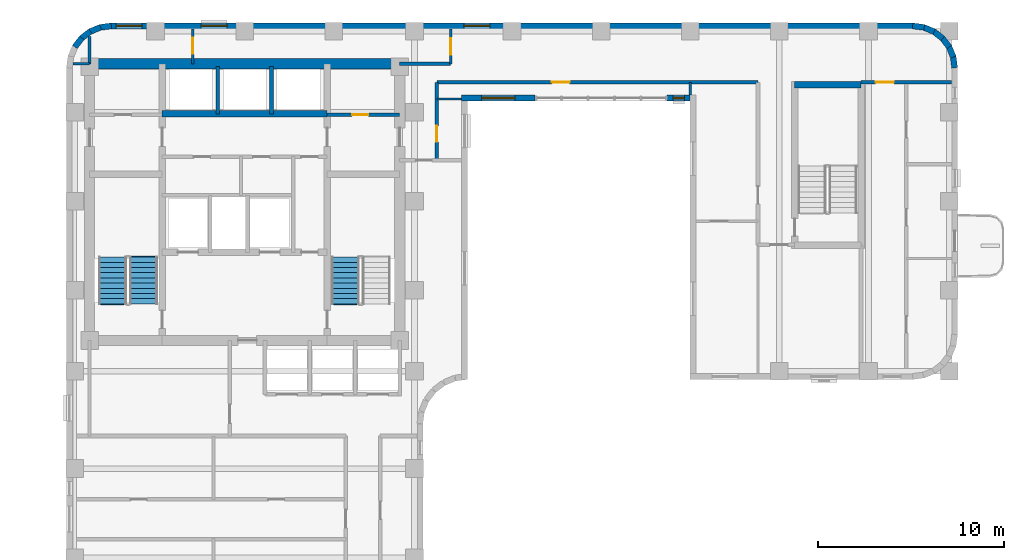
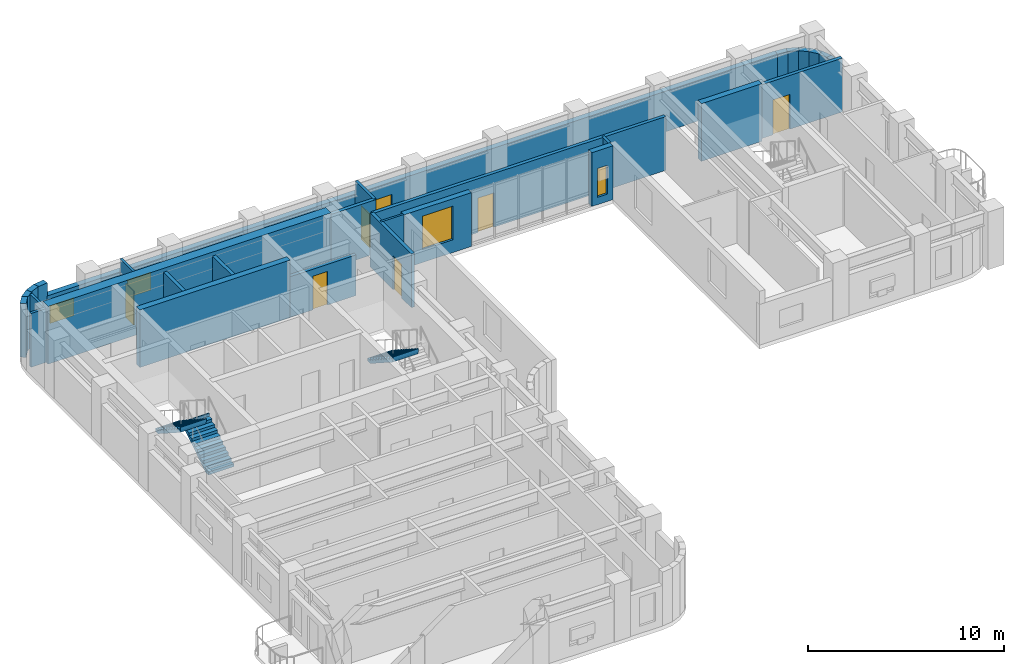
# One storey, part 7 of 11: 29 walls, 6 doors, 5 windows, 3 stair flights, 11 openings, 2 elements without a shape of their own.
"""IFC4 building model written with IfcOpenShell, lengths in metres."""

import ifcopenshell
import ifcopenshell.guid

model = None  # the IFC model being written
_history = None  # IfcOwnerHistory: only IFC2X3 demands one
_inside = {}  # id of a spatial element -> (the spatial element, [elements in it])
_under = {}  # id of a project, library or spatial element -> (it, [spatial elements below it])
_declared = {}  # id of a project -> (the project, [libraries it declares])
_typed = {}  # id of a type object -> (the type object, [elements of that type])
_made_of = {}  # id of a material, layer set ... -> (it, [elements and type objects made of it])


def new_model(schema):
    """Start an empty IFC model of exactly this schema.

    Asked for "IFC4X3", IfcOpenShell would pick the latest addendum, in which some entities
    have other attributes; the version numbers below select the first issue.
    IFC2X3 requires an IfcOwnerHistory on every rooted entity: one is made here for all.
    """
    global model, _history
    if schema == "IFC4X3":
        model = ifcopenshell.file(schema_version=(4, 3, 0, 0))
    else:
        model = ifcopenshell.file(schema=schema)
    _inside.clear()
    _under.clear()
    _declared.clear()
    _typed.clear()
    _made_of.clear()
    _history = None
    if model.schema == "IFC2X3":
        org = make("IfcOrganization", Name="unknown")
        user = make(
            "IfcPersonAndOrganization",
            ThePerson=make("IfcPerson", FamilyName="unknown"),
            TheOrganization=org,
        )
        app = make(
            "IfcApplication",
            ApplicationDeveloper=org,
            Version="unknown",
            ApplicationFullName="unknown",
            ApplicationIdentifier="unknown",
        )
        _history = make(
            "IfcOwnerHistory",
            OwningUser=user,
            OwningApplication=app,
            ChangeAction="ADDED",
            CreationDate=0,
        )
    return model


def make(cls, **values):
    """One entity of the class cls with the attributes given. An attribute that is None is left unset."""
    return model.create_entity(
        cls, **{name: value for name, value in values.items() if value is not None}
    )


def rooted(cls, **values):
    """An entity with a GlobalId (a new one), such as an element, a storey or a relation."""
    return make(cls, GlobalId=ifcopenshell.guid.new(), OwnerHistory=_history, **values)


def si_unit(unit_type, name, prefix=None):
    """IfcSIUnit, for example si_unit("LENGTHUNIT", "METRE", prefix="MILLI")."""
    return make("IfcSIUnit", UnitType=unit_type, Prefix=prefix, Name=name)


def assignment(units):
    """IfcUnitAssignment: the units of a project."""
    return None if units is None else make("IfcUnitAssignment", Units=units)


def point(xyz):
    """IfcCartesianPoint."""
    return None if xyz is None else make("IfcCartesianPoint", Coordinates=xyz)


def direction(xyz):
    """IfcDirection."""
    return None if xyz is None else make("IfcDirection", DirectionRatios=xyz)


def frame(location, z_axis=None, x_axis=None):
    """IfcAxis2Placement3D, a coordinate frame: its origin and axes. An axis left out is left unset."""
    return make(
        "IfcAxis2Placement3D",
        Location=point(location),
        Axis=direction(z_axis),
        RefDirection=direction(x_axis),
    )


def frame_2d(location, x_axis=None):
    """IfcAxis2Placement2D, a coordinate frame in the plane: its origin and x axis."""
    return make(
        "IfcAxis2Placement2D", Location=point(location), RefDirection=direction(x_axis)
    )


def origin():
    """The frame at (0, 0, 0) with its axes left unset."""
    return frame((0.0, 0.0, 0.0))


def place(relative_to, where):
    """IfcLocalPlacement: puts the frame where relative to a parent placement (None: the world)."""
    return make(
        "IfcLocalPlacement", PlacementRelTo=relative_to, RelativePlacement=where
    )


def context(
    kind, dimensions, precision=None, world=None, true_north=None, identifier=None
):
    """IfcGeometricRepresentationContext, for example the 3D "Model" context."""
    return make(
        "IfcGeometricRepresentationContext",
        ContextIdentifier=identifier,
        ContextType=kind,
        CoordinateSpaceDimension=dimensions,
        Precision=precision,
        WorldCoordinateSystem=world,
        TrueNorth=true_north,
    )


def subcontext(parent, identifier, kind, view, scale=None):
    """IfcGeometricRepresentationSubContext, for example "Body" below "Model"."""
    return make(
        "IfcGeometricRepresentationSubContext",
        ContextIdentifier=identifier,
        ContextType=kind,
        ParentContext=parent,
        TargetScale=scale,
        TargetView=view,
    )


def project(units=None, contexts=None):
    """IfcProject with its units and contexts."""
    return rooted(
        "IfcProject",
        Name="project",
        RepresentationContexts=contexts,
        UnitsInContext=assignment(units),
    )


def spatial(cls, under=None, at=None, **own):
    """A site, building, storey or space (cls), placed at a placement, below another one or the project."""
    s = rooted(cls, ObjectPlacement=at, **own)
    if under is not None:
        _under.setdefault(under.id(), (under, []))[1].append(s)
    return s


def polyline(points):
    """IfcPolyline through the points."""
    return make("IfcPolyline", Points=[point(p) for p in points])


def profile(cls, at=None, kind="AREA", **sizes):
    """A parametric profile (cls). Its sizes go by their IFC names, for example OverallWidth=200.0."""
    return make(cls, ProfileType=kind, Position=at, **sizes)


def rectangle(**sizes):
    """IfcRectangleProfileDef."""
    return profile("IfcRectangleProfileDef", **sizes)


def outline(outer, holes=None, kind="AREA"):
    """IfcArbitraryClosedProfileDef: a profile drawn as a closed curve; with holes, ...WithVoids."""
    if holes is None:
        return make("IfcArbitraryClosedProfileDef", ProfileType=kind, OuterCurve=outer)
    return make(
        "IfcArbitraryProfileDefWithVoids",
        ProfileType=kind,
        OuterCurve=outer,
        InnerCurves=holes,
    )


def extrude(swept, where, along, depth):
    """IfcExtrudedAreaSolid: the profile swept, set in the frame where, extruded along a direction by depth."""
    return make(
        "IfcExtrudedAreaSolid",
        SweptArea=swept,
        Position=where,
        ExtrudedDirection=direction(along),
        Depth=depth,
    )


def shape(context_of_items, identifier, shape_type, items):
    """IfcShapeRepresentation: the items that make up one representation, for example the "Body"."""
    return make(
        "IfcShapeRepresentation",
        ContextOfItems=context_of_items,
        RepresentationIdentifier=identifier,
        RepresentationType=shape_type,
        Items=items,
    )


def material(Name=None, Category=None):
    """IfcMaterial."""
    return make("IfcMaterial", Name=Name, Category=Category)


def layer(
    of_material, thickness, ventilated=None, Name=None, Category=None, Priority=None
):
    """IfcMaterialLayer: one layer of a wall or slab, of a material (None: an air gap)."""
    return make(
        "IfcMaterialLayer",
        Material=of_material,
        LayerThickness=thickness,
        IsVentilated=ventilated,
        Name=Name,
        Category=Category,
        Priority=Priority,
    )


def layer_set(layers, Name=None):
    """IfcMaterialLayerSet."""
    return make("IfcMaterialLayerSet", MaterialLayers=layers, LayerSetName=Name)


def made_of(thing, what):
    """Note that an element or type object is made of a material, layer set ...; save() writes the relation."""
    if what is not None:
        _made_of.setdefault(what.id(), (what, []))[1].append(thing)
    return thing


def type_object(cls, material=None, **own):
    """A type object (cls), such as IfcWallType, which elements share."""
    return made_of(rooted(cls, **own), material)


def element(
    cls,
    number,
    at=None,
    inside=None,
    cuts=None,
    type_object=None,
    material=None,
    context=None,
    identifier="Body",
    shape_type=None,
    held_by="IfcProductDefinitionShape",
    body=None,
    shapes=None,
    **own,
):
    """One element of the class cls, such as IfcWall. Its Tag is "e" and its number.

    at: its placement. inside: the storey or other place that contains it. cuts: it is an
    opening in that element (IfcRelVoidsElement). A single representation is given by context,
    identifier, shape_type and body (its items); several are given by shapes. held_by: the class
    of the entity that holds the representations. save() writes the other relations.
    """
    e = rooted(cls, Tag="e%d" % number, ObjectPlacement=at, **own)
    if body is not None:
        shapes = [shape(context, identifier, shape_type, body)]
    if shapes is not None:
        e.Representation = make(held_by, Representations=shapes)
    if inside is not None:
        _inside.setdefault(inside.id(), (inside, []))[1].append(e)
    if cuts is not None:
        rooted(
            "IfcRelVoidsElement", RelatingBuildingElement=cuts, RelatedOpeningElement=e
        )
    if type_object is not None:
        _typed.setdefault(type_object.id(), (type_object, []))[1].append(e)
    return made_of(e, material)


def fill(opening, filler):
    """IfcRelFillsElement: the door or window that sits in an opening."""
    return rooted(
        "IfcRelFillsElement",
        RelatingOpeningElement=opening,
        RelatedBuildingElement=filler,
    )


def aggregate(whole, parts):
    """IfcRelAggregates: a whole, such as a stair, and the parts it consists of."""
    return rooted("IfcRelAggregates", RelatingObject=whole, RelatedObjects=parts)


def save(model, path):
    """Write the relations noted so far, then the file.

    IfcRelAggregates (storeys below a building ...), IfcRelContainedInSpatialStructure (elements
    in a storey), IfcRelDefinesByType, IfcRelAssociatesMaterial and IfcRelDeclares: one each for
    every whole, place, type object, material and project.
    """
    for whole, parts in _under.values():
        aggregate(whole, parts)
    for where, things in _inside.values():
        rooted(
            "IfcRelContainedInSpatialStructure",
            RelatedElements=things,
            RelatingStructure=where,
        )
    for kind, things in _typed.values():
        rooted("IfcRelDefinesByType", RelatedObjects=things, RelatingType=kind)
    for what, things in _made_of.values():
        rooted("IfcRelAssociatesMaterial", RelatedObjects=things, RelatingMaterial=what)
    for by, libraries in _declared.values():
        rooted("IfcRelDeclares", RelatingContext=by, RelatedDefinitions=libraries)
    model.write(path)


model = new_model("IFC4")

# Units and contexts
model_context = context("Model", 3, precision=1e-05, world=origin(), true_north=direction((0.0, 1.0)))
body_context = subcontext(model_context, "Body", "Model", "MODEL_VIEW")
ifc_project = project(units=[si_unit("LENGTHUNIT", "METRE"), si_unit("AREAUNIT", "SQUARE_METRE"), si_unit("VOLUMEUNIT", "CUBIC_METRE"), si_unit("PLANEANGLEUNIT", "RADIAN"), si_unit("MASSUNIT", "GRAM", prefix="KILO")], contexts=[model_context])

# Site, building, storey
site_placement = place(None, origin())
site = spatial("IfcSite", under=ifc_project, at=site_placement, CompositionType="ELEMENT")
building_placement = place(site_placement, origin())
building = spatial("IfcBuilding", under=site, at=building_placement, Name="Orvandelia Arch Residences", CompositionType="ELEMENT")
storey_placement = place(building_placement, frame((0.0, 0.0, 161.199951171875)))
storey = spatial("IfcBuildingStorey", under=building, at=storey_placement, Name="L42", CompositionType="ELEMENT", Elevation=161.199951171875)

# Walls
ifc_material_1 = material(Name="Concrete C50/60", Category="concrete")
ifc_layer_1 = layer(ifc_material_1, 0.35009765625, Name="Concrete C50/60", Category="concrete")
ifc_layer_set_1 = layer_set([ifc_layer_1], Name="Concrete C50/60")
wall_type_1 = type_object("IfcWallType", Name="WL-CORE-350", PredefinedType="SHEAR", material=ifc_layer_set_1)
wall_1_placement = place(storey_placement, frame((9.9599609375, 43.10009765625, 0.0), z_axis=(0.0, 0.0, 1.0), x_axis=(1.0, 0.0, 0.0)))
element("IfcWall", 1, at=wall_1_placement, inside=storey, type_object=wall_type_1, Name="Core Shear Wall L42-HZ4", PredefinedType="SHEAR", context=body_context, shape_type="SweptSolid", body=[
    extrude(rectangle(XDim=8.880126953125, YDim=0.35009765625, at=frame_2d((4.43994140625, 0.0))), origin(), (0.0, 0.0, 1.0), 3.60009765625),
])
wall_2_placement = place(storey_placement, frame((44.02001953125, 44.659912109375, 0.0), z_axis=(0.0, 0.0, 1.0), x_axis=(1.0, 0.0, 0.0)))
element("IfcWall", 2, at=wall_2_placement, inside=storey, type_object=wall_type_1, Name="East Stair Core Shear Wall L42-N", PredefinedType="SHEAR", context=body_context, shape_type="SweptSolid", body=[
    extrude(rectangle(XDim=3.580078125, YDim=0.35009765625, at=frame_2d((1.7900390625, 0.0))), origin(), (0.0, 0.0, 1.0), 3.60009765625),
])
ifc_material_2 = material(Name="Concrete C60/75", Category="concrete")
ifc_layer_2 = layer(ifc_material_2, 0.550048828125, Name="Concrete C60/75", Category="concrete")
ifc_layer_set_2 = layer_set([ifc_layer_2], Name="Concrete C60/75")
wall_type_2 = type_object("IfcWallType", Name="WL-CORE-550", PredefinedType="SHEAR", material=ifc_layer_set_2)
wall_3_placement = place(storey_placement, frame((6.050048828125, 45.800048828125, 0.0), z_axis=(0.0, 0.0, 1.0), x_axis=(1.0, 0.0, 0.0)))
element("IfcWall", 3, at=wall_3_placement, inside=storey, type_object=wall_type_2, Name="Core Shear Wall L42-N", PredefinedType="SHEAR", context=body_context, shape_type="SweptSolid", body=[
    extrude(rectangle(XDim=16.699951171875, YDim=0.550048828125, at=frame_2d((8.35009765625, 0.0))), origin(), (0.0, 0.0, 1.0), 3.60009765625),
])
ifc_material_3 = material(Name="Fire-Rated Corridor Partition")
ifc_layer_3 = layer(ifc_material_3, 0.199951171875, Name="Fire-Rated Corridor Partition")
ifc_layer_set_3 = layer_set([ifc_layer_3], Name="Fire-Rated Corridor Partition")
wall_type_3 = type_object("IfcWallType", Name="WL-CORR-200", PredefinedType="PARTITIONING", material=ifc_layer_set_3)
wall_4_placement = place(storey_placement, frame((22.75, 45.800048828125, 0.0), z_axis=(0.0, 0.0, 1.0), x_axis=(1.0, 0.0, 0.0)))
element("IfcWall", 4, at=wall_4_placement, inside=storey, type_object=wall_type_3, Name="Interior Partition Wall WL-L42-NCE-S", PredefinedType="PARTITIONING", context=body_context, shape_type="SweptSolid", body=[
    extrude(rectangle(XDim=2.75, YDim=0.199951171875, at=frame_2d((1.375, 0.0))), origin(), (0.0, 0.0, 1.0), 3.360107421875),
])

# Wall, opening, door
wall_5_placement = place(storey_placement, frame((24.75, 44.800048828125, 0.0), z_axis=(0.0, 0.0, 1.0), x_axis=(1.0, 0.0, 0.0)))
wall_5 = element("IfcWall", 5, at=wall_5_placement, inside=storey, type_object=wall_type_3, Name="Interior Partition Wall WL-L42-ENP-S1", PredefinedType="PARTITIONING", context=body_context, shape_type="SweptSolid", body=[
    extrude(rectangle(XDim=17.300048828125, YDim=0.199951171875, at=frame_2d((8.64990234375, 0.0))), origin(), (0.0, 0.0, 1.0), 3.360107421875),
])
opening_1_placement = place(wall_5_placement, frame((6.199951171875, 0.0, 0.0)))
opening_1 = element("IfcOpeningElement", 6, at=opening_1_placement, cuts=wall_5, Name="Opening D2", PredefinedType="OPENING", context=body_context, shape_type="SweptSolid", body=[
    extrude(rectangle(XDim=0.949951171875, YDim=2.14990234375, at=frame_2d((0.47509765625, 1.074951171875))), frame((0.0, 0.10986328125, 0.0), z_axis=(0.0, -1.0, 0.0), x_axis=(1.0, 0.0, 0.0)), (0.0, 0.0, 1.0), 0.219970703125),
])
ifc_material_4 = material(Name="Solid-Core Timber Interior Fire Door", Category="wood")
door_type_1 = type_object("IfcDoorType", Name="DR-APT-950", OperationType="NOTDEFINED", PredefinedType="DOOR", material=ifc_material_4)
door_1_placement = place(opening_1_placement, origin())
door_1 = element("IfcDoor", 7, at=door_1_placement, inside=storey, type_object=door_type_1, Name="DR-L42-VPBRG", OperationType="SINGLE_SWING_LEFT", OverallHeight=2.14990234375, OverallWidth=0.949951171875, PredefinedType="DOOR", context=body_context, shape_type="SweptSolid", body=[
    extrude(rectangle(XDim=0.949951171875, YDim=2.14990234375, at=frame_2d((0.47509765625, 1.074951171875))), frame((0.0, 0.02490234375, 0.0), z_axis=(0.0, -1.0, 0.0), x_axis=(1.0, 0.0, 0.0)), (0.0, 0.0, 1.0), 0.050048828125),
])
fill(opening_1, door_1)

wall_6_placement = place(storey_placement, frame((47.60009765625, 44.800048828125, 0.0), z_axis=(0.0, 0.0, 1.0), x_axis=(1.0, 0.0, 0.0)))
wall_6 = element("IfcWall", 8, at=wall_6_placement, inside=storey, type_object=wall_type_3, Name="Interior Partition Wall WL-L42-ENP-S2", PredefinedType="PARTITIONING", context=body_context, shape_type="SweptSolid", body=[
    extrude(rectangle(XDim=4.8798828125, YDim=0.199951171875, at=frame_2d((2.43994140625, 0.0))), origin(), (0.0, 0.0, 1.0), 3.360107421875),
])
opening_2_placement = place(wall_6_placement, frame((0.79150390625, 0.0, 0.0)))
opening_2 = element("IfcOpeningElement", 9, at=opening_2_placement, cuts=wall_6, Name="Opening D1", PredefinedType="OPENING", context=body_context, shape_type="SweptSolid", body=[
    extrude(rectangle(XDim=0.97998046875, YDim=2.179931640625, at=frame_2d((0.489990234375, 1.08984375))), frame((0.0, 0.10986328125, 0.0), z_axis=(0.0, -1.0, 0.0), x_axis=(1.0, 0.0, 0.0)), (0.0, 0.0, 1.0), 0.219970703125),
])
ifc_material_5 = material(Name="Solid-Core Timber Acoustic Fire Door", Category="wood")
door_type_2 = type_object("IfcDoorType", Name="DR-ENT-980", OperationType="NOTDEFINED", PredefinedType="DOOR", material=ifc_material_5)
door_2_placement = place(opening_2_placement, origin())
door_2 = element("IfcDoor", 10, at=door_2_placement, inside=storey, type_object=door_type_2, Name="Unit L42-04 Entrance Door", OperationType="SINGLE_SWING_RIGHT", OverallHeight=2.179931640625, OverallWidth=0.97998046875, PredefinedType="DOOR", context=body_context, shape_type="SweptSolid", body=[
    extrude(rectangle(XDim=0.97998046875, YDim=2.179931640625, at=frame_2d((0.489990234375, 1.08984375))), frame((0.0, 0.02490234375, 0.0), z_axis=(0.0, -1.0, 0.0), x_axis=(1.0, 0.0, 0.0)), (0.0, 0.0, 1.0), 0.050048828125),
])
fill(opening_2, door_2)

wall_7_placement = place(storey_placement, frame((24.75, 40.60009765625, 0.0), z_axis=(0.0, 0.0, 1.0), x_axis=(0.0, 1.0, 0.0)))
wall_7 = element("IfcWall", 11, at=wall_7_placement, inside=storey, type_object=wall_type_3, Name="Interior Partition Wall WL-L42-ENP-LW", PredefinedType="PARTITIONING", context=body_context, shape_type="SweptSolid", body=[
    extrude(rectangle(XDim=4.199951171875, YDim=0.199951171875, at=frame_2d((2.10009765625, 0.0))), origin(), (0.0, 0.0, 1.0), 3.360107421875),
])
opening_3_placement = place(wall_7_placement, frame((1.0, 0.0, 0.0)))
opening_3 = element("IfcOpeningElement", 12, at=opening_3_placement, cuts=wall_7, Name="Opening D4", PredefinedType="OPENING", context=body_context, shape_type="SweptSolid", body=[
    extrude(rectangle(XDim=0.860107421875, YDim=2.10009765625, at=frame_2d((0.43017578125, 1.050048828125))), frame((0.0, 0.10986328125, 0.0), z_axis=(0.0, -1.0, 0.0), x_axis=(1.0, 0.0, 0.0)), (0.0, 0.0, 1.0), 0.219970703125),
])
ifc_material_6 = material(Name="Moisture-Sealed Timber Bathroom Door", Category="wood")
door_type_3 = type_object("IfcDoorType", Name="DR-WET-900", OperationType="NOTDEFINED", PredefinedType="DOOR", material=ifc_material_6)
door_3_placement = place(opening_3_placement, origin())
door_3 = element("IfcDoor", 13, at=door_3_placement, inside=storey, type_object=door_type_3, Name="DR-L42-VPWNK", OperationType="SINGLE_SWING_RIGHT", OverallHeight=2.10009765625, OverallWidth=0.860107421875, PredefinedType="DOOR", context=body_context, shape_type="SweptSolid", body=[
    extrude(rectangle(XDim=0.860107421875, YDim=2.10009765625, at=frame_2d((0.43017578125, 1.050048828125))), frame((0.0, 0.02490234375, 0.0), z_axis=(0.0, -1.0, 0.0), x_axis=(1.0, 0.0, 0.0)), (0.0, 0.0, 1.0), 0.050048828125),
])
fill(opening_3, door_3)

# Walls
ifc_material_7 = material(Name="Precast concrete C40/50", Category="concrete")
ifc_layer_4 = layer(ifc_material_7, 0.320068359375, Name="Precast concrete C40/50", Category="concrete")
ifc_layer_set_4 = layer_set([ifc_layer_4], Name="Precast concrete C40/50")
wall_type_4 = type_object("IfcWallType", Name="WL-EXT-STONE-320", PredefinedType="STANDARD", material=ifc_layer_set_4)
wall_8_placement = place(storey_placement, frame((5.248291015625, 46.70263671875, 0.0), z_axis=(0.0, 0.0, 1.0), x_axis=(0.608938521285, 0.7932174212, 0.0)))
element("IfcWall", 14, at=wall_8_placement, inside=storey, type_object=wall_type_4, Name="Coral-Limestone Precast Facade Wall L42-003", PredefinedType="STANDARD", context=body_context, shape_type="SweptSolid", body=[
    extrude(rectangle(XDim=0.626708984375, YDim=0.320068359375, at=frame_2d((0.3134765625, 0.0))), origin(), (0.0, 0.0, 1.0), 3.360107421875),
])
wall_9_placement = place(storey_placement, frame((5.600341796875, 47.170166015625, 0.0), z_axis=(0.0, 0.0, 1.0), x_axis=(0.793405610854, 0.608693302629, 0.0)))
element("IfcWall", 15, at=wall_9_placement, inside=storey, type_object=wall_type_4, Name="Coral-Limestone Precast Facade Wall L42-004", PredefinedType="STANDARD", context=body_context, shape_type="SweptSolid", body=[
    extrude(rectangle(XDim=0.62646484375, YDim=0.320068359375, at=frame_2d((0.313232421875, 0.0))), origin(), (0.0, 0.0, 1.0), 3.360107421875),
])
wall_10_placement = place(storey_placement, frame((6.061279296875, 47.53076171875, 0.0), z_axis=(0.0, 0.0, 1.0), x_axis=(0.923836271867, 0.382787856107, 0.0)))
element("IfcWall", 16, at=wall_10_placement, inside=storey, type_object=wall_type_4, Name="Coral-Limestone Precast Facade Wall L42-005", PredefinedType="STANDARD", context=body_context, shape_type="SweptSolid", body=[
    extrude(rectangle(XDim=0.626220703125, YDim=0.320068359375, at=frame_2d((0.31298828125, 0.0))), origin(), (0.0, 0.0, 1.0), 3.360107421875),
])
wall_11_placement = place(storey_placement, frame((6.599609375, 47.759521484375, 0.0), z_axis=(0.0, 0.0, 1.0), x_axis=(0.991447664465, 0.130504898859, 0.0)))
element("IfcWall", 17, at=wall_11_placement, inside=storey, type_object=wall_type_4, Name="Coral-Limestone Precast Facade Wall L42-006", PredefinedType="STANDARD", context=body_context, shape_type="SweptSolid", body=[
    extrude(rectangle(XDim=0.626708984375, YDim=0.320068359375, at=frame_2d((0.3134765625, 0.0))), origin(), (0.0, 0.0, 1.0), 3.360107421875),
])

# Wall, openings, windows
wall_12_placement = place(storey_placement, frame((7.199951171875, 47.840087890625, 0.0), z_axis=(0.0, 0.0, 1.0), x_axis=(1.0, 0.0, 0.0)))
wall_12 = element("IfcWall", 18, at=wall_12_placement, inside=storey, type_object=wall_type_4, Name="Coral-Limestone Precast Facade Wall L42-007", PredefinedType="STANDARD", context=body_context, shape_type="SweptSolid", body=[
    extrude(rectangle(XDim=43.199951171875, YDim=0.320068359375, at=frame_2d((21.60009765625, 0.0))), origin(), (0.0, 0.0, 1.0), 2.5400390625),
])
opening_4_placement = place(wall_12_placement, frame((19.00244140625, 0.0, 0.64990234375)))
opening_4 = element("IfcOpeningElement", 19, at=opening_4_placement, cuts=wall_12, Name="Opening W10", PredefinedType="OPENING", context=body_context, shape_type="SweptSolid", body=[
    extrude(rectangle(XDim=1.39990234375, YDim=1.10009765625, at=frame_2d((0.699951171875, 0.550048828125))), frame((0.0, 0.169921875, 0.0), z_axis=(0.0, -1.0, 0.0), x_axis=(1.0, 0.0, 0.0)), (0.0, 0.0, 1.0), 0.340087890625),
])
opening_5_placement = place(wall_12_placement, frame((0.282470703125, 0.0, 0.64990234375)))
opening_5 = element("IfcOpeningElement", 20, at=opening_5_placement, cuts=wall_12, Name="Opening W10", PredefinedType="OPENING", context=body_context, shape_type="SweptSolid", body=[
    extrude(rectangle(XDim=1.39990234375, YDim=1.10009765625, at=frame_2d((0.699951171875, 0.550048828125))), frame((0.0, 0.169921875, 0.0), z_axis=(0.0, -1.0, 0.0), x_axis=(1.0, 0.0, 0.0)), (0.0, 0.0, 1.0), 0.340087890625),
])
opening_6_placement = place(wall_12_placement, frame((4.8525390625, 0.0, 0.64990234375)))
opening_6 = element("IfcOpeningElement", 21, at=opening_6_placement, cuts=wall_12, Name="Opening W10", PredefinedType="OPENING", context=body_context, shape_type="SweptSolid", body=[
    extrude(rectangle(XDim=1.39990234375, YDim=1.10009765625, at=frame_2d((0.699951171875, 0.550048828125))), frame((0.0, 0.169921875, 0.0), z_axis=(0.0, -1.0, 0.0), x_axis=(1.0, 0.0, 0.0)), (0.0, 0.0, 1.0), 0.340087890625),
])
ifc_material_8 = material(Name="Tempered Low-E Insulated Glazing", Category="glass")
window_type_1 = type_object("IfcWindowType", Name="WIN-CLR-1400x1100", PartitioningType="SINGLE_PANEL", PredefinedType="WINDOW", material=ifc_material_8)
window_1_placement = place(opening_4_placement, origin())
window_1 = element("IfcWindow", 22, at=window_1_placement, inside=storey, type_object=window_type_1, Name="Recessed Punched Window L42-001", OverallHeight=1.10009765625, OverallWidth=1.39990234375, PartitioningType="SINGLE_PANEL", PredefinedType="WINDOW", context=body_context, shape_type="SweptSolid", body=[
    extrude(rectangle(XDim=1.39990234375, YDim=1.10009765625, at=frame_2d((0.699951171875, 0.550048828125))), frame((0.0, 0.030029296875, 0.0), z_axis=(0.0, -1.0, 0.0), x_axis=(1.0, 0.0, 0.0)), (0.0, 0.0, 1.0), 0.06005859375),
])
fill(opening_4, window_1)
window_2_placement = place(opening_5_placement, origin())
window_2 = element("IfcWindow", 23, at=window_2_placement, inside=storey, type_object=window_type_1, Name="Recessed Punched Window L42-002", OverallHeight=1.10009765625, OverallWidth=1.39990234375, PartitioningType="SINGLE_PANEL", PredefinedType="WINDOW", context=body_context, shape_type="SweptSolid", body=[
    extrude(rectangle(XDim=1.39990234375, YDim=1.10009765625, at=frame_2d((0.699951171875, 0.550048828125))), frame((0.0, 0.030029296875, 0.0), z_axis=(0.0, -1.0, 0.0), x_axis=(1.0, 0.0, 0.0)), (0.0, 0.0, 1.0), 0.06005859375),
])
fill(opening_5, window_2)
window_3_placement = place(opening_6_placement, origin())
window_3 = element("IfcWindow", 24, at=window_3_placement, inside=storey, type_object=window_type_1, Name="Recessed Punched Window L42-003", OverallHeight=1.10009765625, OverallWidth=1.39990234375, PartitioningType="SINGLE_PANEL", PredefinedType="WINDOW", context=body_context, shape_type="SweptSolid", body=[
    extrude(rectangle(XDim=1.39990234375, YDim=1.10009765625, at=frame_2d((0.699951171875, 0.550048828125))), frame((0.0, 0.030029296875, 0.0), z_axis=(0.0, -1.0, 0.0), x_axis=(1.0, 0.0, 0.0)), (0.0, 0.0, 1.0), 0.06005859375),
])
fill(opening_6, window_3)

# Walls
for number, where, z_axis, x_axis, name in (
    (25, (50.379150390625, 47.84130859375, 0.0), (0.0, 0.0, 1.0), (0.9914410257, -0.130555323746, 0.0), "Coral-Limestone Precast Facade Wall L42-008"),
    (26, (50.9599609375, 47.7705078125, 0.0), (0.0, 0.0, 1.0), (0.92389335771, -0.382650053678, 0.0), "Coral-Limestone Precast Facade Wall L42-009"),
    (27, (51.502685546875, 47.551513671875, 0.0), (0.0, 0.0, 1.0), (0.793405610854, -0.608693302629, 0.0), "Coral-Limestone Precast Facade Wall L42-010"),
    (28, (51.97021484375, 47.19970703125, 0.0), (0.0, 0.0, 1.0), (0.608693302629, -0.793405610854, 0.0), "Coral-Limestone Precast Facade Wall L42-011"),
    (29, (52.330810546875, 46.73876953125, 0.0), (0.0, 0.0, 1.0), (0.382317370307, -0.924031075431, 0.0), "Coral-Limestone Precast Facade Wall L42-012"),
    (30, (52.5595703125, 46.2001953125, 0.0), (0.0, 0.0, 1.0), (0.130555323746, -0.9914410257, 0.0), "Coral-Limestone Precast Facade Wall L42-013"),
):
    element("IfcWall", number, at=place(storey_placement, frame(where, z_axis=z_axis, x_axis=x_axis)), inside=storey, type_object=wall_type_4, Name=name, PredefinedType="STANDARD", context=body_context, shape_type="SweptSolid", body=[
        extrude(rectangle(XDim=0.62646484375, YDim=0.320068359375, at=frame_2d((0.313232421875, 0.0))), origin(), (0.0, 0.0, 1.0), 2.5400390625),
    ])

# Wall, opening, window
wall_13_placement = place(storey_placement, frame((38.39990234375, 43.9599609375, 0.0), z_axis=(0.0, 0.0, 1.0), x_axis=(-1.0, 0.0, 0.0)))
wall_13 = element("IfcWall", 31, at=wall_13_placement, inside=storey, type_object=wall_type_4, Name="Coral-Limestone Precast Facade Wall L42-023", PredefinedType="STANDARD", context=body_context, shape_type="SweptSolid", body=[
    extrude(rectangle(XDim=1.239990234375, YDim=0.320068359375, at=frame_2d((0.6201171875, 0.0))), origin(), (0.0, 0.0, 1.0), 3.360107421875),
])
opening_7_placement = place(wall_13_placement, frame((0.320068359375, 0.0, 0.449951171875)))
opening_7 = element("IfcOpeningElement", 32, at=opening_7_placement, cuts=wall_13, Name="Opening W12", PredefinedType="OPENING", context=body_context, shape_type="SweptSolid", body=[
    extrude(rectangle(XDim=0.60009765625, YDim=1.800048828125, at=frame_2d((0.300048828125, 0.89990234375))), frame((0.0, 0.169921875, 0.0), z_axis=(0.0, -1.0, 0.0), x_axis=(1.0, 0.0, 0.0)), (0.0, 0.0, 1.0), 0.340087890625),
])
window_type_2 = type_object("IfcWindowType", Name="WIN-LAN-0600x1800", PartitioningType="SINGLE_PANEL", PredefinedType="WINDOW", material=ifc_material_8)
window_4_placement = place(opening_7_placement, origin())
window_4 = element("IfcWindow", 33, at=window_4_placement, inside=storey, type_object=window_type_2, Name="Recessed Punched Window L42-012", OverallHeight=1.800048828125, OverallWidth=0.60009765625, PartitioningType="SINGLE_PANEL", PredefinedType="WINDOW", context=body_context, shape_type="SweptSolid", body=[
    extrude(rectangle(XDim=0.60009765625, YDim=1.800048828125, at=frame_2d((0.300048828125, 0.89990234375))), frame((0.0, 0.030029296875, 0.0), z_axis=(0.0, -1.0, 0.0), x_axis=(1.0, 0.0, 0.0)), (0.0, 0.0, 1.0), 0.06005859375),
])
fill(opening_7, window_4)

wall_14_placement = place(storey_placement, frame((30.0400390625, 43.9599609375, 0.0), z_axis=(0.0, 0.0, 1.0), x_axis=(-1.0, 0.0, 0.0)))
wall_14 = element("IfcWall", 34, at=wall_14_placement, inside=storey, type_object=wall_type_4, Name="Coral-Limestone Precast Facade Wall L42-024", PredefinedType="STANDARD", context=body_context, shape_type="SweptSolid", body=[
    extrude(rectangle(XDim=3.9599609375, YDim=0.320068359375, at=frame_2d((1.97998046875, 0.0))), origin(), (0.0, 0.0, 1.0), 3.360107421875),
])
opening_8_placement = place(wall_14_placement, frame((1.080078125, 0.0, 0.800048828125)))
opening_8 = element("IfcOpeningElement", 35, at=opening_8_placement, cuts=wall_14, Name="Opening W1", PredefinedType="OPENING", context=body_context, shape_type="SweptSolid", body=[
    extrude(rectangle(XDim=1.800048828125, YDim=2.10009765625, at=frame_2d((0.89990234375, 1.050048828125))), frame((0.0, 0.169921875, 0.0), z_axis=(0.0, -1.0, 0.0), x_axis=(1.0, 0.0, 0.0)), (0.0, 0.0, 1.0), 0.340087890625),
])
window_type_3 = type_object("IfcWindowType", Name="WIN-RES-1800x2100", PartitioningType="SINGLE_PANEL", PredefinedType="WINDOW", material=ifc_material_8)
window_5_placement = place(opening_8_placement, origin())
window_5 = element("IfcWindow", 36, at=window_5_placement, inside=storey, type_object=window_type_3, Name="Recessed Punched Window L42-013", OverallHeight=2.10009765625, OverallWidth=1.800048828125, PartitioningType="SINGLE_PANEL", PredefinedType="WINDOW", context=body_context, shape_type="SweptSolid", body=[
    extrude(rectangle(XDim=1.800048828125, YDim=2.10009765625, at=frame_2d((0.89990234375, 1.050048828125))), frame((0.0, 0.030029296875, 0.0), z_axis=(0.0, -1.0, 0.0), x_axis=(1.0, 0.0, 0.0)), (0.0, 0.0, 1.0), 0.06005859375),
])
fill(opening_8, window_5)

# Walls
ifc_material_9 = material(Name="Lightweight Gypsum Stud Partition")
ifc_layer_5 = layer(ifc_material_9, 0.1201171875, Name="Lightweight Gypsum Stud Partition")
ifc_layer_set_5 = layer_set([ifc_layer_5], Name="Lightweight Gypsum Stud Partition")
wall_type_5 = type_object("IfcWallType", Name="WL-PART-120", PredefinedType="PARTITIONING", material=ifc_layer_set_5)
wall_15_placement = place(storey_placement, frame((24.75, 43.89990234375, 0.0), z_axis=(0.0, 0.0, 1.0), x_axis=(1.0, 0.0, 0.0)))
element("IfcWall", 37, at=wall_15_placement, inside=storey, type_object=wall_type_5, Name="Interior Partition Wall WL-L42-VPWNK-N", PredefinedType="PARTITIONING", context=body_context, shape_type="SweptSolid", body=[
    extrude(rectangle(XDim=1.330078125, YDim=0.1201171875, at=frame_2d((0.6650390625, 0.0))), origin(), (0.0, 0.0, 1.0), 3.360107421875),
])
ifc_material_10 = material(Name="Acoustic Gypsum Stud Partition")
ifc_layer_6 = layer(ifc_material_10, 0.14990234375, Name="Acoustic Gypsum Stud Partition")
ifc_layer_set_6 = layer_set([ifc_layer_6], Name="Acoustic Gypsum Stud Partition")
wall_type_6 = type_object("IfcWallType", Name="WL-PART-150", PredefinedType="PARTITIONING", material=ifc_layer_set_6)
wall_16_placement = place(storey_placement, frame((5.159912109375, 45.800048828125, 0.0), z_axis=(0.0, 0.0, 1.0), x_axis=(1.0, 0.0, 0.0)))
element("IfcWall", 38, at=wall_16_placement, inside=storey, type_object=wall_type_6, Name="Interior Partition Wall WL-L42-WF-N", PredefinedType="PARTITIONING", context=body_context, shape_type="SweptSolid", body=[
    extrude(rectangle(XDim=0.89013671875, YDim=0.14990234375, at=frame_2d((0.445068359375, 0.0))), origin(), (0.0, 0.0, 1.0), 3.360107421875),
])

# Wall, opening, door
wall_17_placement = place(storey_placement, frame((25.5, 45.800048828125, 0.0), z_axis=(0.0, 0.0, 1.0), x_axis=(0.0, 1.0, 0.0)))
wall_17 = element("IfcWall", 39, at=wall_17_placement, inside=storey, type_object=wall_type_6, Name="Interior Partition Wall WL-L42-NCE-W", PredefinedType="PARTITIONING", context=body_context, shape_type="SweptSolid", body=[
    extrude(rectangle(XDim=1.8798828125, YDim=0.14990234375, at=frame_2d((0.93994140625, 0.0))), origin(), (0.0, 0.0, 1.0), 3.360107421875),
])
opening_9_placement = place(wall_17_placement, frame((0.5, 0.0, 0.0)))
opening_9 = element("IfcOpeningElement", 40, at=opening_9_placement, cuts=wall_17, Name="Opening D5", PredefinedType="OPENING", context=body_context, shape_type="SweptSolid", body=[
    extrude(rectangle(XDim=0.8798828125, YDim=2.10009765625, at=frame_2d((0.43994140625, 1.050048828125))), frame((0.0, 0.0849609375, 0.0), z_axis=(0.0, -1.0, 0.0), x_axis=(1.0, 0.0, 0.0)), (0.0, 0.0, 1.0), 0.169921875),
])
ifc_material_11 = material(Name="Painted Galvanised Steel Service Door", Category="steel")
door_type_4 = type_object("IfcDoorType", Name="DR-SRV-880", OperationType="NOTDEFINED", PredefinedType="DOOR", material=ifc_material_11)
door_4_placement = place(opening_9_placement, origin())
door_4 = element("IfcDoor", 41, at=door_4_placement, inside=storey, type_object=door_type_4, Name="DR-L42-NCS2", OperationType="SINGLE_SWING_LEFT", OverallHeight=2.10009765625, OverallWidth=0.8798828125, PredefinedType="DOOR", context=body_context, shape_type="SweptSolid", body=[
    extrude(rectangle(XDim=0.8798828125, YDim=2.10009765625, at=frame_2d((0.43994140625, 1.050048828125))), frame((0.0, 0.02490234375, 0.0), z_axis=(0.0, -1.0, 0.0), x_axis=(1.0, 0.0, 0.0)), (0.0, 0.0, 1.0), 0.050048828125),
])
fill(opening_9, door_4)

# Wall
wall_18_placement = place(storey_placement, frame((6.050048828125, 45.800048828125, 0.0), z_axis=(0.0, 0.0, 1.0), x_axis=(0.0, 1.0, 0.0)))
element("IfcWall", 42, at=wall_18_placement, inside=storey, type_object=wall_type_6, Name="Interior Partition Wall WL-L42-NC-W6", PredefinedType="PARTITIONING", context=body_context, shape_type="SweptSolid", body=[
    extrude(rectangle(XDim=1.4599609375, YDim=0.14990234375, at=frame_2d((0.72998046875, 0.0))), origin(), (0.0, 0.0, 1.0), 3.360107421875),
])

# Wall, opening, door
wall_19_placement = place(storey_placement, frame((11.60009765625, 45.800048828125, 0.0), z_axis=(0.0, 0.0, 1.0), x_axis=(0.0, 1.0, 0.0)))
wall_19 = element("IfcWall", 43, at=wall_19_placement, inside=storey, type_object=wall_type_6, Name="Interior Partition Wall WL-L42-NC-M", PredefinedType="PARTITIONING", context=body_context, shape_type="SweptSolid", body=[
    extrude(rectangle(XDim=1.8798828125, YDim=0.14990234375, at=frame_2d((0.93994140625, 0.0))), origin(), (0.0, 0.0, 1.0), 3.360107421875),
])
opening_10_placement = place(wall_19_placement, frame((0.550048828125, 0.0, 0.0)))
opening_10 = element("IfcOpeningElement", 44, at=opening_10_placement, cuts=wall_19, Name="Opening D4", PredefinedType="OPENING", context=body_context, shape_type="SweptSolid", body=[
    extrude(rectangle(XDim=0.860107421875, YDim=2.10009765625, at=frame_2d((0.43017578125, 1.050048828125))), frame((0.0, 0.0849609375, 0.0), z_axis=(0.0, -1.0, 0.0), x_axis=(1.0, 0.0, 0.0)), (0.0, 0.0, 1.0), 0.169921875),
])
door_5_placement = place(opening_10_placement, origin())
door_5 = element("IfcDoor", 45, at=door_5_placement, inside=storey, type_object=door_type_3, Name="DR-L42-NCS1", OperationType="SINGLE_SWING_LEFT", OverallHeight=2.10009765625, OverallWidth=0.860107421875, PredefinedType="DOOR", context=body_context, shape_type="SweptSolid", body=[
    extrude(rectangle(XDim=0.860107421875, YDim=2.10009765625, at=frame_2d((0.43017578125, 1.050048828125))), frame((0.0, 0.02490234375, 0.0), z_axis=(0.0, -1.0, 0.0), x_axis=(1.0, 0.0, 0.0)), (0.0, 0.0, 1.0), 0.050048828125),
])
fill(opening_10, door_5)

# Wall
wall_20_placement = place(storey_placement, frame((38.39990234375, 44.1201171875, 0.0), z_axis=(0.0, 0.0, 1.0), x_axis=(0.0, 1.0, 0.0)))
element("IfcWall", 46, at=wall_20_placement, inside=storey, type_object=wall_type_6, Name="Interior Partition Wall WL-L42-VPBRG-E", PredefinedType="PARTITIONING", context=body_context, shape_type="SweptSolid", body=[
    extrude(rectangle(XDim=0.679931640625, YDim=0.14990234375, at=frame_2d((0.33984375, 0.0))), origin(), (0.0, 0.0, 1.0), 3.360107421875),
])

# Wall, opening, door
ifc_material_12 = material(Name="Fire-Rated Shaft Enclosure Wall")
ifc_layer_7 = layer(ifc_material_12, 0.199951171875, Name="Fire-Rated Shaft Enclosure Wall")
ifc_layer_set_7 = layer_set([ifc_layer_7], Name="Fire-Rated Shaft Enclosure Wall")
wall_type_7 = type_object("IfcWallType", Name="WL-SHAFT-200", PredefinedType="POLYGONAL", material=ifc_layer_set_7)
wall_21_placement = place(storey_placement, frame((18.840087890625, 43.050048828125, 0.0), z_axis=(0.0, 0.0, 1.0), x_axis=(1.0, 0.0, 0.0)))
wall_21 = element("IfcWall", 47, at=wall_21_placement, inside=storey, type_object=wall_type_7, Name="Interior Partition Wall WL-L42-HLE-N", PredefinedType="POLYGONAL", context=body_context, shape_type="SweptSolid", body=[
    extrude(rectangle(XDim=3.909912109375, YDim=0.199951171875, at=frame_2d((1.955078125, 0.0))), origin(), (0.0, 0.0, 1.0), 2.5400390625),
])
opening_11_placement = place(wall_21_placement, frame((1.35009765625, 0.0, 0.0)))
opening_11 = element("IfcOpeningElement", 48, at=opening_11_placement, cuts=wall_21, Name="Opening D5", PredefinedType="OPENING", context=body_context, shape_type="SweptSolid", body=[
    extrude(rectangle(XDim=0.8798828125, YDim=2.10009765625, at=frame_2d((0.43994140625, 1.050048828125))), frame((0.0, 0.10986328125, 0.0), z_axis=(0.0, -1.0, 0.0), x_axis=(1.0, 0.0, 0.0)), (0.0, 0.0, 1.0), 0.219970703125),
])
door_6_placement = place(opening_11_placement, origin())
door_6 = element("IfcDoor", 49, at=door_6_placement, inside=storey, type_object=door_type_4, Name="DR-L42-CSB1", OperationType="SINGLE_SWING_LEFT", OverallHeight=2.10009765625, OverallWidth=0.8798828125, PredefinedType="DOOR", context=body_context, shape_type="SweptSolid", body=[
    extrude(rectangle(XDim=0.8798828125, YDim=2.10009765625, at=frame_2d((0.43994140625, 1.050048828125))), frame((0.0, 0.02490234375, 0.0), z_axis=(0.0, -1.0, 0.0), x_axis=(1.0, 0.0, 0.0)), (0.0, 0.0, 1.0), 0.050048828125),
])
fill(opening_11, door_6)

# Walls
for number, where, z_axis, x_axis, name in (
    (50, (12.949951171875, 43.10009765625, 0.0), (0.0, 0.0, 1.0), (0.0, 1.0, 0.0), "Interior Partition Wall WL-L42-PHD1"),
    (51, (15.85009765625, 43.10009765625, 0.0), (0.0, 0.0, 1.0), (0.0, 1.0, 0.0), "Interior Partition Wall WL-L42-PHD2"),
):
    element("IfcWall", number, at=place(storey_placement, frame(where, z_axis=z_axis, x_axis=x_axis)), inside=storey, type_object=wall_type_7, Name=name, PredefinedType="POLYGONAL", context=body_context, shape_type="SweptSolid", body=[
        extrude(rectangle(XDim=2.5498046875, YDim=0.199951171875, at=frame_2d((1.27490234375, 0.0))), origin(), (0.0, 0.0, 1.0), 3.360107421875),
    ])

# Stair, stair flights
ifc_material_13 = material(Name="Concrete C40/50", Category="concrete")
stair_type = type_object("IfcStairType", Name="STAIR-RC-DOGLEG", PredefinedType="HALF_TURN_STAIR", material=ifc_material_13)
stair_1_placement = place(storey_placement, origin())
stair_1 = element("IfcStair", 52, at=stair_1_placement, inside=storey, type_object=stair_type, Name="L42 Protected Exit Stair ST-1", PredefinedType="HALF_TURN_STAIR")
stair_flight_type = type_object("IfcStairFlightType", Name="STFLT-RC-1520", PredefinedType="STRAIGHT", material=ifc_material_13)
stair_flight_1_placement = place(storey_placement, frame((8.9599609375, 32.8701171875, 0.0), z_axis=(0.0, 0.0, 1.0), x_axis=(0.0, 1.0, 0.0)))
stair_flight_1 = element("IfcStairFlight", 53, at=stair_flight_1_placement, type_object=stair_flight_type, Name="ST-1 flight 1", NumberOfRisers=10, NumberOfTreads=9, PredefinedType="STRAIGHT", RiserHeight=0.18, TreadLength=0.28, context=body_context, shape_type="SweptSolid", body=[
    extrude(outline(polyline([(0.0, 0.0), (0.0, 0.179931640625), (0.280029296875, 0.179931640625), (0.280029296875, 0.360107421875), (0.56005859375, 0.360107421875), (0.56005859375, 0.5400390625), (0.840087890625, 0.5400390625), (0.840087890625, 0.719970703125), (1.1201171875, 0.719970703125), (1.1201171875, 0.89990234375), (1.39990234375, 0.89990234375), (1.39990234375, 1.080078125), (1.679931640625, 1.080078125), (1.679931640625, 1.260009765625), (1.9599609375, 1.260009765625), (1.9599609375, 1.43994140625), (2.239990234375, 1.43994140625), (2.239990234375, 1.6201171875), (2.52001953125, 1.6201171875), (2.52001953125, 1.800048828125), (2.580078125, 1.800048828125), (2.580078125, 1.6201171875), (2.52001953125, 1.44189453125), (0.277099609375, 0.0), (0.0, 0.0)])), frame((0.0, 0.760009765625, 0.0), z_axis=(0.0, -1.0, 0.0), x_axis=(1.0, 0.0, 0.0)), (0.0, 0.0, 1.0), 1.52001953125),
])
stair_flight_2_placement = place(storey_placement, frame((7.2900390625, 35.389892578125, 1.800048828125), z_axis=(0.0, 0.0, 1.0), x_axis=(0.0, -1.0, 0.0)))
stair_flight_2 = element("IfcStairFlight", 54, at=stair_flight_2_placement, type_object=stair_flight_type, Name="ST-1 flight 2", NumberOfRisers=10, NumberOfTreads=9, PredefinedType="STRAIGHT", RiserHeight=0.18, TreadLength=0.28, context=body_context, shape_type="SweptSolid", body=[
    extrude(outline(polyline([(0.0, 0.0), (0.0, 0.179931640625), (0.280029296875, 0.179931640625), (0.280029296875, 0.360107421875), (0.56005859375, 0.360107421875), (0.56005859375, 0.5400390625), (0.840087890625, 0.5400390625), (0.840087890625, 0.719970703125), (1.1201171875, 0.719970703125), (1.1201171875, 0.89990234375), (1.39990234375, 0.89990234375), (1.39990234375, 1.080078125), (1.679931640625, 1.080078125), (1.679931640625, 1.260009765625), (1.9599609375, 1.260009765625), (1.9599609375, 1.43994140625), (2.239990234375, 1.43994140625), (2.239990234375, 1.6201171875), (2.52001953125, 1.6201171875), (2.52001953125, 1.800048828125), (2.580078125, 1.800048828125), (2.580078125, 1.6201171875), (2.52001953125, 1.44189453125), (0.277099609375, 0.0), (0.0, 0.0)])), frame((0.0, 0.760009765625, 0.0), z_axis=(0.0, -1.0, 0.0), x_axis=(1.0, 0.0, 0.0)), (0.0, 0.0, 1.0), 1.52001953125),
])
aggregate(stair_1, [stair_flight_1, stair_flight_2])

# Stair, stair flight
stair_2_placement = place(storey_placement, origin())
stair_2 = element("IfcStair", 55, at=stair_2_placement, inside=storey, type_object=stair_type, Name="L42 Protected Exit Stair ST-2", PredefinedType="HALF_TURN_STAIR")
stair_flight_3_placement = place(storey_placement, frame((19.820068359375, 35.389892578125, 1.800048828125), z_axis=(0.0, 0.0, 1.0), x_axis=(0.0, -1.0, 0.0)))
stair_flight_3 = element("IfcStairFlight", 56, at=stair_flight_3_placement, type_object=stair_flight_type, Name="ST-2 flight 2", NumberOfRisers=10, NumberOfTreads=9, PredefinedType="STRAIGHT", RiserHeight=0.18, TreadLength=0.28, context=body_context, shape_type="SweptSolid", body=[
    extrude(outline(polyline([(0.0, 0.0), (0.0, 0.179931640625), (0.280029296875, 0.179931640625), (0.280029296875, 0.360107421875), (0.56005859375, 0.360107421875), (0.56005859375, 0.5400390625), (0.840087890625, 0.5400390625), (0.840087890625, 0.719970703125), (1.1201171875, 0.719970703125), (1.1201171875, 0.89990234375), (1.39990234375, 0.89990234375), (1.39990234375, 1.080078125), (1.679931640625, 1.080078125), (1.679931640625, 1.260009765625), (1.9599609375, 1.260009765625), (1.9599609375, 1.43994140625), (2.239990234375, 1.43994140625), (2.239990234375, 1.6201171875), (2.52001953125, 1.6201171875), (2.52001953125, 1.800048828125), (2.580078125, 1.800048828125), (2.580078125, 1.6201171875), (2.52001953125, 1.44189453125), (0.277099609375, 0.0), (0.0, 0.0)])), frame((0.0, 0.760009765625, 0.0), z_axis=(0.0, -1.0, 0.0), x_axis=(1.0, 0.0, 0.0)), (0.0, 0.0, 1.0), 1.52001953125),
])
aggregate(stair_2, [stair_flight_3])

save(model, "model.ifc")
